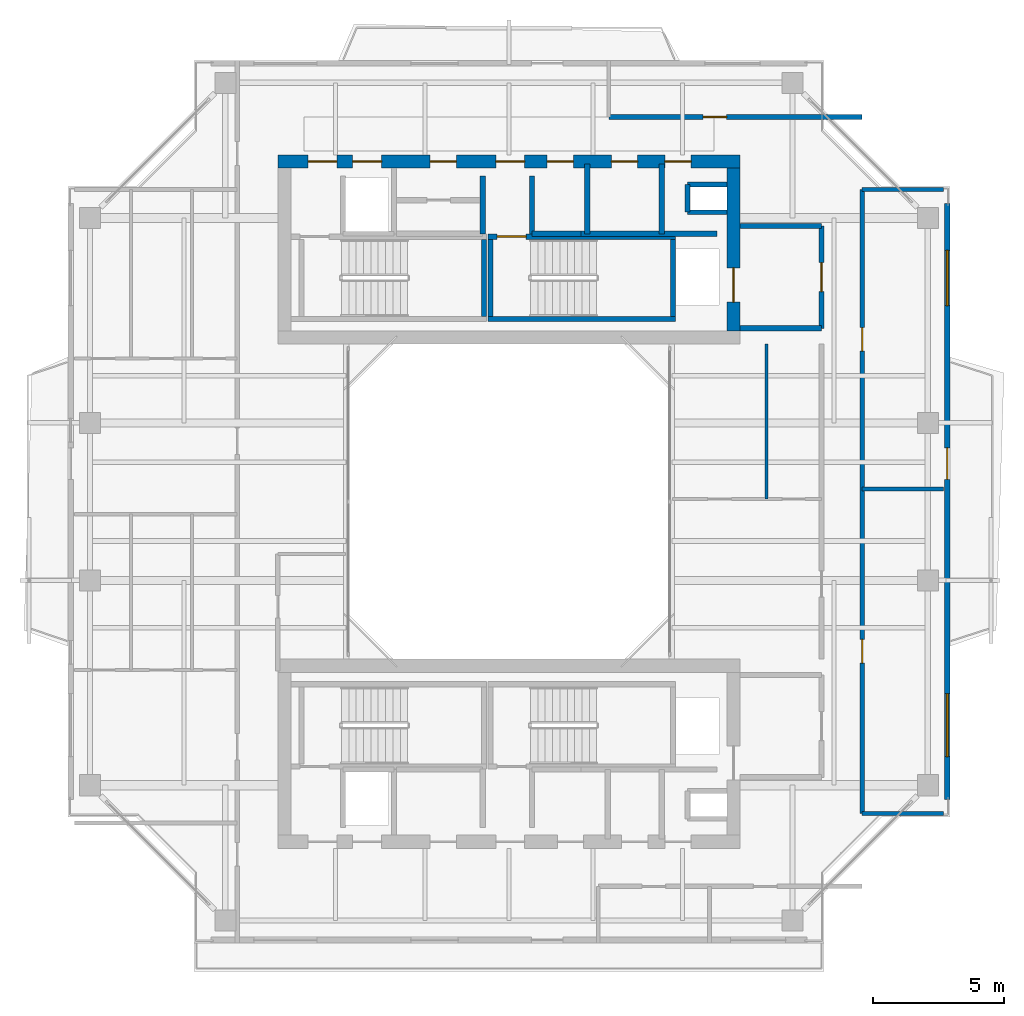
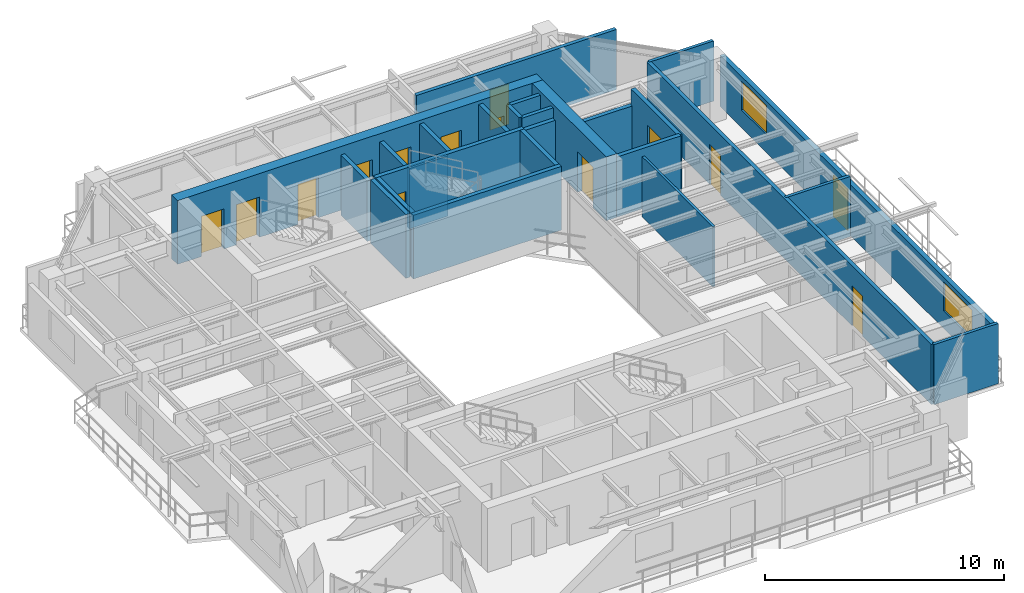
# One storey, part 12 of 16: 26 walls, 14 doors, 2 windows, 16 openings.
"""IFC4 building model written with IfcOpenShell, lengths in metres."""

from ifc_helpers import new_model, si_unit, direction, frame, frame_2d, origin, place, context, subcontext, project, spatial, rectangle, extrude, source, transform, mapped, material, layer, layer_set, type_object, element, fill, save


model = new_model("IFC4")

# Units and contexts
model_context = context("Model", 3, precision=1e-05, world=origin(), true_north=direction((0.0, 1.0)))
body_context = subcontext(model_context, "Body", "Model", "MODEL_VIEW")
ifc_project = project(units=[si_unit("LENGTHUNIT", "METRE"), si_unit("AREAUNIT", "SQUARE_METRE"), si_unit("VOLUMEUNIT", "CUBIC_METRE"), si_unit("PLANEANGLEUNIT", "RADIAN"), si_unit("MASSUNIT", "GRAM", prefix="KILO"), si_unit("THERMODYNAMICTEMPERATUREUNIT", "KELVIN"), si_unit("POWERUNIT", "WATT")], contexts=[model_context])

# Site, building, storey
site_placement = place(None, origin())
site = spatial("IfcSite", under=ifc_project, at=site_placement, CompositionType="ELEMENT")
building_placement = place(site_placement, origin())
building = spatial("IfcBuilding", under=site, at=building_placement, Name="Qiaomeng Ring Towers", CompositionType="ELEMENT")
storey_placement = place(building_placement, frame((0.0, 0.0, 190.5)))
storey = spatial("IfcBuildingStorey", under=building, at=storey_placement, Name="L55", CompositionType="ELEMENT", Elevation=190.5)

# Wall, openings, windows, door
ifc_material_1 = material(Name="Precast concrete C40", Category="concrete")
ifc_layer_1 = layer(ifc_material_1, 0.219970703125, Name="Precast concrete C40")
ifc_layer_set_1 = layer_set([ifc_layer_1], Name="Precast concrete C40")
wall_type_1 = type_object("IfcWallType", Name="ARC-WL-EW2", PredefinedType="STANDARD", material=ifc_layer_set_1)
wall_1_placement = place(storey_placement, frame((35.68994140625, 11.64990234375, 0.0), z_axis=(0.0, 0.0, 1.0), x_axis=(0.0, 1.0, 0.0)))
wall_1 = element("IfcWall", 1, at=wall_1_placement, inside=storey, type_object=wall_type_1, Name="L55 Tower 1 E Exterior Wall", PredefinedType="STANDARD", context=body_context, shape_type="SweptSolid", body=[
    extrude(rectangle(XDim=22.7001953125, YDim=0.219970703125, at=frame_2d((11.35009765625, 0.0))), origin(), (0.0, 0.0, 1.0), 2.610107421875),
])
opening_1_placement = place(wall_1_placement, frame((12.199951171875, 0.0, 0.0)))
opening_1 = element("IfcOpeningElement", 2, at=opening_1_placement, cuts=wall_1, Name="Opening BD1", PredefinedType="OPENING", context=body_context, shape_type="SweptSolid", body=[
    extrude(rectangle(XDim=1.199951171875, YDim=2.10009765625, at=frame_2d((0.60009765625, 1.050048828125))), frame((0.0, 0.119873046875, 0.0), z_axis=(0.0, -1.0, 0.0), x_axis=(1.0, 0.0, 0.0)), (0.0, 0.0, 1.0), 0.239990234375),
])
opening_2_placement = place(wall_1_placement, frame((1.637939453125, 0.0, 0.89990234375)))
opening_2 = element("IfcOpeningElement", 3, at=opening_2_placement, cuts=wall_1, Name="Opening WN6", PredefinedType="OPENING", context=body_context, shape_type="SweptSolid", body=[
    extrude(rectangle(XDim=2.39990234375, YDim=1.47998046875, at=frame_2d((1.199951171875, 0.739990234375))), frame((0.0, 0.119873046875, 0.0), z_axis=(0.0, -1.0, 0.0), x_axis=(1.0, 0.0, 0.0)), (0.0, 0.0, 1.0), 0.239990234375),
])
opening_3_placement = place(wall_1_placement, frame((18.81298828125, 0.0, 0.89990234375)))
opening_3 = element("IfcOpeningElement", 4, at=opening_3_placement, cuts=wall_1, Name="Opening WN4", PredefinedType="OPENING", context=body_context, shape_type="SweptSolid", body=[
    extrude(rectangle(XDim=2.10009765625, YDim=1.47998046875, at=frame_2d((1.050048828125, 0.739990234375))), frame((0.0, 0.119873046875, 0.0), z_axis=(0.0, -1.0, 0.0), x_axis=(1.0, 0.0, 0.0)), (0.0, 0.0, 1.0), 0.239990234375),
])
ifc_material_2 = material(Name="Low-E dark-grey laminated double glazing", Category="glass")
window_type_1 = type_object("IfcWindowType", Name="ARC-WN-4", PartitioningType="TRIPLE_PANEL_VERTICAL", PredefinedType="WINDOW", material=ifc_material_2)
shared_shape_1 = source(origin(), body_context, "Body", "SweptSolid", [
    extrude(rectangle(XDim=2.10009765625, YDim=1.47998046875, at=frame_2d((1.050048828125, 0.739990234375))), frame((0.0, 0.030029296875, 0.0), z_axis=(0.0, -1.0, 0.0), x_axis=(1.0, 0.0, 0.0)), (0.0, 0.0, 1.0), 0.06005859375),
])
window_1_placement = place(opening_3_placement, origin())
window_1 = element("IfcWindow", 5, at=window_1_placement, inside=storey, type_object=window_type_1, Name="L55 Exterior Window WN4", OverallHeight=1.47998046875, OverallWidth=2.10009765625, PartitioningType="TRIPLE_PANEL_VERTICAL", PredefinedType="WINDOW", context=body_context, shape_type="MappedRepresentation", body=[
    mapped(shared_shape_1, transform((0.0, 0.0, 0.0), x_axis=(1.0, 0.0, 0.0), y_axis=(0.0, 1.0, 0.0), z_axis=(0.0, 0.0, 1.0), scale=1.0)),
])
fill(opening_3, window_1)
window_type_2 = type_object("IfcWindowType", Name="ARC-WN-6", PartitioningType="TRIPLE_PANEL_VERTICAL", PredefinedType="WINDOW", material=ifc_material_2)
shared_shape_2 = source(origin(), body_context, "Body", "SweptSolid", [
    extrude(rectangle(XDim=2.39990234375, YDim=1.47998046875, at=frame_2d((1.199951171875, 0.739990234375))), frame((0.0, 0.030029296875, 0.0), z_axis=(0.0, -1.0, 0.0), x_axis=(1.0, 0.0, 0.0)), (0.0, 0.0, 1.0), 0.06005859375),
])
window_2_placement = place(opening_2_placement, origin())
window_2 = element("IfcWindow", 6, at=window_2_placement, inside=storey, type_object=window_type_2, Name="L55 Exterior Window WN6", OverallHeight=1.47998046875, OverallWidth=2.39990234375, PartitioningType="TRIPLE_PANEL_VERTICAL", PredefinedType="WINDOW", context=body_context, shape_type="MappedRepresentation", body=[
    mapped(shared_shape_2, transform((0.0, 0.0, 0.0), x_axis=(1.0, 0.0, 0.0), y_axis=(0.0, 1.0, 0.0), z_axis=(0.0, 0.0, 1.0), scale=1.0)),
])
fill(opening_2, window_2)
door_type_1 = type_object("IfcDoorType", Name="ARC-DR-BD1", OperationType="NOTDEFINED", PredefinedType="DOOR", material=ifc_material_2)
shared_shape_3 = source(origin(), body_context, "Body", "SweptSolid", [
    extrude(rectangle(XDim=1.199951171875, YDim=2.10009765625, at=frame_2d((0.60009765625, 1.050048828125))), frame((0.0, 0.02490234375, 0.0), z_axis=(0.0, -1.0, 0.0), x_axis=(1.0, 0.0, 0.0)), (0.0, 0.0, 1.0), 0.050048828125),
])
door_1_placement = place(opening_1_placement, origin())
door_1 = element("IfcDoor", 7, at=door_1_placement, inside=storey, type_object=door_type_1, Name="L55 E Balcony Glazed Door", OperationType="SINGLE_SWING_LEFT", OverallHeight=2.10009765625, OverallWidth=1.199951171875, PredefinedType="DOOR", context=body_context, shape_type="MappedRepresentation", body=[
    mapped(shared_shape_3, transform((0.0, 0.0, 0.0), x_axis=(1.0, 0.0, 0.0), y_axis=(0.0, 1.0, 0.0), z_axis=(0.0, 0.0, 1.0), scale=1.0)),
])
fill(opening_1, door_1)

# Walls
ifc_material_3 = material(Name="Autoclaved aerated concrete block", Category="concrete")
ifc_layer_2 = layer(ifc_material_3, 0.199951171875, Name="Autoclaved aerated concrete block")
ifc_layer_set_2 = layer_set([ifc_layer_2], Name="Autoclaved aerated concrete block")
wall_type_2 = type_object("IfcWallType", Name="ARC-WL-PW1", PredefinedType="PARTITIONING", material=ifc_layer_set_2)
wall_2_placement = place(storey_placement, frame((27.800048828125, 29.60009765625, 0.0), z_axis=(0.0, 0.0, 1.0), x_axis=(1.0, 0.0, 0.0)))
element("IfcWall", 8, at=wall_2_placement, inside=storey, type_object=wall_type_2, Name="L55 Interior Wall PW1", PredefinedType="PARTITIONING", context=body_context, shape_type="SweptSolid", body=[
    extrude(rectangle(XDim=3.099853515625, YDim=0.199951171875, at=frame_2d((1.5498046875, 0.0))), origin(), (0.0, 0.0, 1.0), 3.070068359375),
])
wall_3_placement = place(storey_placement, frame((27.800048828125, 33.5, 0.0), z_axis=(0.0, 0.0, 1.0), x_axis=(1.0, 0.0, 0.0)))
element("IfcWall", 9, at=wall_3_placement, inside=storey, type_object=wall_type_2, Name="L55 Interior Wall PW1", PredefinedType="PARTITIONING", context=body_context, shape_type="SweptSolid", body=[
    extrude(rectangle(XDim=3.099853515625, YDim=0.199951171875, at=frame_2d((1.5498046875, 0.0))), origin(), (0.0, 0.0, 1.0), 2.264892578125),
])

# Wall, opening, door
wall_4_placement = place(storey_placement, frame((30.89990234375, 29.60009765625, 0.0), z_axis=(0.0, 0.0, 1.0), x_axis=(0.0, 1.0, 0.0)))
wall_4 = element("IfcWall", 10, at=wall_4_placement, inside=storey, type_object=wall_type_2, Name="L55 Interior Wall PW1", PredefinedType="PARTITIONING", context=body_context, shape_type="SweptSolid", body=[
    extrude(rectangle(XDim=3.89990234375, YDim=0.199951171875, at=frame_2d((1.949951171875, 0.0))), origin(), (0.0, 0.0, 1.0), 3.070068359375),
])
opening_4_placement = place(wall_4_placement, frame((1.39990234375, 0.0, 0.0)))
opening_4 = element("IfcOpeningElement", 11, at=opening_4_placement, cuts=wall_4, Name="Opening FD3", PredefinedType="OPENING", context=body_context, shape_type="SweptSolid", body=[
    extrude(rectangle(XDim=1.10009765625, YDim=2.050048828125, at=frame_2d((0.550048828125, 1.02490234375))), frame((0.0, 0.10986328125, 0.0), z_axis=(0.0, -1.0, 0.0), x_axis=(1.0, 0.0, 0.0)), (0.0, 0.0, 1.0), 0.219970703125),
])
ifc_material_4 = material(Name="Galvanised steel", Category="steel")
door_type_2 = type_object("IfcDoorType", Name="ARC-DR-FD3", OperationType="NOTDEFINED", PredefinedType="DOOR", material=ifc_material_4)
shared_shape_4 = source(origin(), body_context, "Body", "SweptSolid", [
    extrude(rectangle(XDim=1.10009765625, YDim=2.050048828125, at=frame_2d((0.550048828125, 1.02490234375))), frame((0.0, 0.02490234375, 0.0), z_axis=(0.0, -1.0, 0.0), x_axis=(1.0, 0.0, 0.0)), (0.0, 0.0, 1.0), 0.050048828125),
])
door_2_placement = place(opening_4_placement, origin())
door_2 = element("IfcDoor", 12, at=door_2_placement, inside=storey, type_object=door_type_2, Name="L55 North FF Lobby Door", OperationType="SINGLE_SWING_LEFT", OverallHeight=2.050048828125, OverallWidth=1.10009765625, PredefinedType="DOOR", context=body_context, shape_type="MappedRepresentation", body=[
    mapped(shared_shape_4, transform((0.0, 0.0, 0.0), x_axis=(1.0, 0.0, 0.0), y_axis=(0.0, 1.0, 0.0), z_axis=(0.0, 0.0, 1.0), scale=1.0)),
])
fill(opening_4, door_2)

# Walls
for number, where, z_axis, x_axis, name in (
    (13, (18.0, 33.18994140625, 0.0), (0.0, 0.0, 1.0), (0.0, 1.0, 0.0), "L55 Interior Wall PW1"),
    (14, (19.8798828125, 33.18994140625, 0.0), (0.0, 0.0, 1.0), (0.0, 1.0, 0.0), "L55 Interior Wall PW1"),
):
    element("IfcWall", number, at=place(storey_placement, frame(where, z_axis=z_axis, x_axis=x_axis)), inside=storey, type_object=wall_type_2, Name=name, PredefinedType="PARTITIONING", context=body_context, shape_type="SweptSolid", body=[
        extrude(rectangle(XDim=2.2099609375, YDim=0.199951171875, at=frame_2d((1.10498046875, 0.0))), origin(), (0.0, 0.0, 1.0), 3.070068359375),
    ])
wall_5_placement = place(storey_placement, frame((24.820068359375, 33.199951171875, 0.0), z_axis=(0.0, 0.0, 1.0), x_axis=(0.0, 1.0, 0.0)))
element("IfcWall", 15, at=wall_5_placement, inside=storey, type_object=wall_type_2, Name="L55 Interior Wall PW1", PredefinedType="PARTITIONING", context=body_context, shape_type="SweptSolid", body=[
    extrude(rectangle(XDim=2.650146484375, YDim=0.199951171875, at=frame_2d((1.3251953125, 0.0))), origin(), (0.0, 0.0, 1.0), 3.070068359375),
])
wall_6_placement = place(storey_placement, frame((19.8798828125, 33.199951171875, 0.0), z_axis=(0.0, 0.0, 1.0), x_axis=(1.0, 0.0, 0.0)))
element("IfcWall", 16, at=wall_6_placement, inside=storey, type_object=wall_type_2, Name="L55 Interior Wall PW1", PredefinedType="PARTITIONING", context=body_context, shape_type="SweptSolid", body=[
    extrude(rectangle(XDim=1.8701171875, YDim=0.199951171875, at=frame_2d((0.93505859375, 0.0))), origin(), (0.0, 0.0, 1.0), 3.070068359375),
])
wall_7_placement = place(storey_placement, frame((21.97998046875, 33.199951171875, 0.0), z_axis=(0.0, 0.0, 1.0), x_axis=(0.0, 1.0, 0.0)))
element("IfcWall", 17, at=wall_7_placement, inside=storey, type_object=wall_type_2, Name="L55 Interior Wall PW1", PredefinedType="PARTITIONING", context=body_context, shape_type="SweptSolid", body=[
    extrude(rectangle(XDim=2.650146484375, YDim=0.199951171875, at=frame_2d((1.3251953125, 0.0))), origin(), (0.0, 0.0, 1.0), 3.070068359375),
])
wall_8_placement = place(storey_placement, frame((21.75, 33.199951171875, 0.0), z_axis=(0.0, 0.0, 1.0), x_axis=(1.0, 0.0, 0.0)))
element("IfcWall", 18, at=wall_8_placement, inside=storey, type_object=wall_type_2, Name="L55 Interior Wall PW1", PredefinedType="PARTITIONING", context=body_context, shape_type="SweptSolid", body=[
    extrude(rectangle(XDim=5.169921875, YDim=0.199951171875, at=frame_2d((2.5849609375, 0.0))), origin(), (0.0, 0.0, 1.0), 3.070068359375),
])

# Wall, opening, door
ifc_layer_3 = layer(ifc_material_3, 0.179931640625, Name="Autoclaved aerated concrete block")
ifc_layer_set_3 = layer_set([ifc_layer_3], Name="Autoclaved aerated concrete block")
wall_type_3 = type_object("IfcWallType", Name="ARC-WL-PW2", PredefinedType="PARTITIONING", material=ifc_layer_set_3)
wall_9_placement = place(storey_placement, frame((22.800048828125, 37.64990234375, 0.0), z_axis=(0.0, 0.0, 1.0), x_axis=(1.0, 0.0, 0.0)))
wall_9 = element("IfcWall", 19, at=wall_9_placement, inside=storey, type_object=wall_type_3, Name="L55 Interior Wall PW2", PredefinedType="PARTITIONING", context=body_context, shape_type="SweptSolid", body=[
    extrude(rectangle(XDim=9.64990234375, YDim=0.179931640625, at=frame_2d((4.824951171875, 0.0))), origin(), (0.0, 0.0, 1.0), 3.070068359375),
])
opening_5_placement = place(wall_9_placement, frame((3.590087890625, 0.0, 0.0)))
opening_5 = element("IfcOpeningElement", 20, at=opening_5_placement, cuts=wall_9, Name="Opening ID1", PredefinedType="OPENING", context=body_context, shape_type="SweptSolid", body=[
    extrude(rectangle(XDim=0.89990234375, YDim=2.050048828125, at=frame_2d((0.449951171875, 1.02490234375))), frame((0.0, 0.099853515625, 0.0), z_axis=(0.0, -1.0, 0.0), x_axis=(1.0, 0.0, 0.0)), (0.0, 0.0, 1.0), 0.199951171875),
])
ifc_material_5 = material(Name="Engineered oak timber", Category="wood")
door_type_3 = type_object("IfcDoorType", Name="ARC-DR-ID1", OperationType="NOTDEFINED", PredefinedType="DOOR", material=ifc_material_5)
shared_shape_5 = source(origin(), body_context, "Body", "SweptSolid", [
    extrude(rectangle(XDim=0.89990234375, YDim=2.050048828125, at=frame_2d((0.449951171875, 1.02490234375))), frame((0.0, 0.02490234375, 0.0), z_axis=(0.0, -1.0, 0.0), x_axis=(1.0, 0.0, 0.0)), (0.0, 0.0, 1.0), 0.050048828125),
])
door_3_placement = place(opening_5_placement, origin())
door_3 = element("IfcDoor", 21, at=door_3_placement, inside=storey, type_object=door_type_3, Name="L55 Door ID1", OperationType="SINGLE_SWING_RIGHT", OverallHeight=2.050048828125, OverallWidth=0.89990234375, PredefinedType="DOOR", context=body_context, shape_type="MappedRepresentation", body=[
    mapped(shared_shape_5, transform((0.0, 0.0, 0.0), x_axis=(1.0, 0.0, 0.0), y_axis=(0.0, 1.0, 0.0), z_axis=(0.0, 0.0, 1.0), scale=1.0)),
])
fill(opening_5, door_3)

# Wall, openings, doors
wall_10_placement = place(storey_placement, frame((32.449951171875, 11.1201171875, 0.0), z_axis=(0.0, 0.0, 1.0), x_axis=(0.0, 1.0, 0.0)))
wall_10 = element("IfcWall", 22, at=wall_10_placement, inside=storey, type_object=wall_type_3, Name="L55 Interior Wall PW2", PredefinedType="PARTITIONING", context=body_context, shape_type="SweptSolid", body=[
    extrude(rectangle(XDim=23.759765625, YDim=0.179931640625, at=frame_2d((11.8798828125, 0.0))), origin(), (0.0, 0.0, 1.0), 3.070068359375),
])
opening_6_placement = place(wall_10_placement, frame((5.72998046875, 0.0, 0.0)))
opening_6 = element("IfcOpeningElement", 23, at=opening_6_placement, cuts=wall_10, Name="Opening ID1", PredefinedType="OPENING", context=body_context, shape_type="SweptSolid", body=[
    extrude(rectangle(XDim=0.89990234375, YDim=2.050048828125, at=frame_2d((0.449951171875, 1.02490234375))), frame((0.0, 0.099853515625, 0.0), z_axis=(0.0, -1.0, 0.0), x_axis=(1.0, 0.0, 0.0)), (0.0, 0.0, 1.0), 0.199951171875),
])
opening_7_placement = place(wall_10_placement, frame((17.610107421875, 0.0, 0.0)))
opening_7 = element("IfcOpeningElement", 24, at=opening_7_placement, cuts=wall_10, Name="Opening ID1", PredefinedType="OPENING", context=body_context, shape_type="SweptSolid", body=[
    extrude(rectangle(XDim=0.89990234375, YDim=2.050048828125, at=frame_2d((0.449951171875, 1.02490234375))), frame((0.0, 0.099853515625, 0.0), z_axis=(0.0, -1.0, 0.0), x_axis=(1.0, 0.0, 0.0)), (0.0, 0.0, 1.0), 0.199951171875),
])
door_4_placement = place(opening_6_placement, origin())
door_4 = element("IfcDoor", 25, at=door_4_placement, inside=storey, type_object=door_type_3, Name="L55 Door ID1", OperationType="SINGLE_SWING_LEFT", OverallHeight=2.050048828125, OverallWidth=0.89990234375, PredefinedType="DOOR", context=body_context, shape_type="MappedRepresentation", body=[
    mapped(shared_shape_5, transform((0.0, 0.0, 0.0), x_axis=(1.0, 0.0, 0.0), y_axis=(0.0, 1.0, 0.0), z_axis=(0.0, 0.0, 1.0), scale=1.0)),
])
fill(opening_6, door_4)
door_5_placement = place(opening_7_placement, origin())
door_5 = element("IfcDoor", 26, at=door_5_placement, inside=storey, type_object=door_type_3, Name="L55 Door ID1", OperationType="SINGLE_SWING_RIGHT", OverallHeight=2.050048828125, OverallWidth=0.89990234375, PredefinedType="DOOR", context=body_context, shape_type="MappedRepresentation", body=[
    mapped(shared_shape_5, transform((0.0, 0.0, 0.0), x_axis=(1.0, 0.0, 0.0), y_axis=(0.0, 1.0, 0.0), z_axis=(0.0, 0.0, 1.0), scale=1.0)),
])
fill(opening_7, door_5)

# Walls
ifc_material_6 = material(Name="Gypsum fireboard steel-stud partition", Category="steel")
ifc_layer_4 = layer(ifc_material_6, 0.14990234375, Name="Gypsum fireboard steel-stud partition")
ifc_layer_set_4 = layer_set([ifc_layer_4], Name="Gypsum fireboard steel-stud partition")
wall_type_4 = type_object("IfcWallType", Name="ARC-WL-PW3", PredefinedType="PARTITIONING", material=ifc_layer_set_4)
for number, where, z_axis, x_axis, name in (
    (27, (32.449951171875, 34.8798828125, 0.0), (0.0, 0.0, 1.0), (1.0, 0.0, 0.0), "L55 Interior Wall PW3"),
    (28, (32.449951171875, 11.1201171875, 0.0), (0.0, 0.0, 1.0), (1.0, 0.0, 0.0), "L55 Interior Wall PW3"),
    (29, (32.449951171875, 23.47998046875, 0.0), (0.0, 0.0, 1.0), (1.0, 0.0, 0.0), "L55 Interior Wall PW3"),
):
    element("IfcWall", number, at=place(storey_placement, frame(where, z_axis=z_axis, x_axis=x_axis)), inside=storey, type_object=wall_type_4, Name=name, PredefinedType="PARTITIONING", context=body_context, shape_type="SweptSolid", body=[
        extrude(rectangle(XDim=3.10009765625, YDim=0.14990234375, at=frame_2d((1.550048828125, 0.0))), origin(), (0.0, 0.0, 1.0), 3.070068359375),
    ])
ifc_material_7 = material(Name="Moisture-resistant gypsum steel-stud partition", Category="steel")
ifc_layer_5 = layer(ifc_material_7, 0.1201171875, Name="Moisture-resistant gypsum steel-stud partition")
ifc_layer_set_5 = layer_set([ifc_layer_5], Name="Moisture-resistant gypsum steel-stud partition")
wall_type_5 = type_object("IfcWallType", Name="ARC-WL-PW4", PredefinedType="PLUMBINGWALL", material=ifc_layer_set_5)
wall_11_placement = place(storey_placement, frame((28.800048828125, 23.10009765625, 0.0), z_axis=(0.0, 0.0, 1.0), x_axis=(0.0, 1.0, 0.0)))
element("IfcWall", 30, at=wall_11_placement, inside=storey, type_object=wall_type_5, Name="L55 Interior Wall PW4", PredefinedType="PLUMBINGWALL", context=body_context, shape_type="SweptSolid", body=[
    extrude(rectangle(XDim=5.89990234375, YDim=0.1201171875, at=frame_2d((2.949951171875, 0.0))), origin(), (0.0, 0.0, 1.0), 3.070068359375),
])
ifc_material_8 = material(Name="Concrete C40", Category="concrete")
ifc_layer_6 = layer(ifc_material_8, 0.199951171875, Name="Concrete C40")
ifc_layer_set_6 = layer_set([ifc_layer_6], Name="Concrete C40")
wall_type_6 = type_object("IfcWallType", Name="STR-WL-STSHAFT", PredefinedType="SHEAR", material=ifc_layer_set_6)
wall_12_placement = place(storey_placement, frame((25.800048828125, 34.02001953125, 0.0), z_axis=(0.0, 0.0, 1.0), x_axis=(0.0, 1.0, 0.0)))
element("IfcWall", 31, at=wall_12_placement, inside=storey, type_object=wall_type_6, Name="L55 Riser RSR1 West Shaft Wall N", PredefinedType="SHEAR", context=body_context, shape_type="SweptSolid", body=[
    extrude(rectangle(XDim=1.06005859375, YDim=0.179931640625, at=frame_2d((0.530029296875, 0.0))), origin(), (0.0, 0.0, 1.0), 3.070068359375),
])
for number, where, z_axis, x_axis, name in (
    (32, (25.800048828125, 35.080078125, 0.0), (0.0, 0.0, 1.0), (1.0, 0.0, 0.0), "L55 Riser RSR1 North Shaft Wall N"),
    (33, (25.800048828125, 34.02001953125, 0.0), (0.0, 0.0, 1.0), (1.0, 0.0, 0.0), "L55 Riser RSR1 South Shaft Wall N"),
):
    element("IfcWall", number, at=place(storey_placement, frame(where, z_axis=z_axis, x_axis=x_axis)), inside=storey, type_object=wall_type_6, Name=name, PredefinedType="SHEAR", context=body_context, shape_type="SweptSolid", body=[
        extrude(rectangle(XDim=1.5, YDim=0.179931640625, at=frame_2d((0.75, 0.0))), origin(), (0.0, 0.0, 1.0), 3.070068359375),
    ])
wall_13_placement = place(storey_placement, frame((18.050048828125, 30.050048828125, 0.0), z_axis=(0.0, 0.0, 1.0), x_axis=(0.0, 1.0, 0.0)))
element("IfcWall", 34, at=wall_13_placement, inside=storey, type_object=wall_type_6, Name="L55 Stair ST1 East Shaft Shear Wall", PredefinedType="SHEAR", context=body_context, shape_type="SweptSolid", body=[
    extrude(rectangle(XDim=2.93994140625, YDim=0.199951171875, at=frame_2d((1.469970703125, 0.0))), origin(), (0.0, 0.0, 1.0), 3.25),
])
wall_14_placement = place(storey_placement, frame((18.199951171875, 29.949951171875, 0.0), z_axis=(0.0, 0.0, 1.0), x_axis=(1.0, 0.0, 0.0)))
element("IfcWall", 35, at=wall_14_placement, inside=storey, type_object=wall_type_6, Name="L55 Stair ST2 South Shaft Shear Wall", PredefinedType="SHEAR", context=body_context, shape_type="SweptSolid", body=[
    extrude(rectangle(XDim=7.150146484375, YDim=0.199951171875, at=frame_2d((3.5751953125, 0.0))), origin(), (0.0, 0.0, 1.0), 3.25),
])

# Wall, opening, door
wall_15_placement = place(storey_placement, frame((18.199951171875, 33.090087890625, 0.0), z_axis=(0.0, 0.0, 1.0), x_axis=(1.0, 0.0, 0.0)))
wall_15 = element("IfcWall", 36, at=wall_15_placement, inside=storey, type_object=wall_type_6, Name="L55 Stair ST2 North Shaft Shear Wall", PredefinedType="SHEAR", context=body_context, shape_type="SweptSolid", body=[
    extrude(rectangle(XDim=7.150146484375, YDim=0.199951171875, at=frame_2d((3.5751953125, 0.0))), origin(), (0.0, 0.0, 1.0), 3.25),
])
opening_8_placement = place(wall_15_placement, frame((0.35009765625, 0.0, 0.0)))
opening_8 = element("IfcOpeningElement", 37, at=opening_8_placement, cuts=wall_15, Name="Opening FD3", PredefinedType="OPENING", context=body_context, shape_type="SweptSolid", body=[
    extrude(rectangle(XDim=1.10009765625, YDim=2.050048828125, at=frame_2d((0.550048828125, 1.02490234375))), frame((0.0, 0.10986328125, 0.0), z_axis=(0.0, -1.0, 0.0), x_axis=(1.0, 0.0, 0.0)), (0.0, 0.0, 1.0), 0.219970703125),
])
door_6_placement = place(opening_8_placement, origin())
door_6 = element("IfcDoor", 38, at=door_6_placement, inside=storey, type_object=door_type_2, Name="L55 Stair ST2 Exit Door", OperationType="SINGLE_SWING_RIGHT", OverallHeight=2.050048828125, OverallWidth=1.10009765625, PredefinedType="DOOR", context=body_context, shape_type="MappedRepresentation", body=[
    mapped(shared_shape_4, transform((0.0, 0.0, 0.0), x_axis=(1.0, 0.0, 0.0), y_axis=(0.0, 1.0, 0.0), z_axis=(0.0, 0.0, 1.0), scale=1.0)),
])
fill(opening_8, door_6)

# Walls
for number, where, z_axis, x_axis, name in (
    (39, (18.300048828125, 30.050048828125, 0.0), (0.0, 0.0, 1.0), (0.0, 1.0, 0.0), "L55 Stair ST2 West Shaft Shear Wall"),
    (40, (25.25, 30.050048828125, 0.0), (0.0, 0.0, 1.0), (0.0, 1.0, 0.0), "L55 Stair ST2 East Shaft Shear Wall"),
):
    element("IfcWall", number, at=place(storey_placement, frame(where, z_axis=z_axis, x_axis=x_axis)), inside=storey, type_object=wall_type_6, Name=name, PredefinedType="SHEAR", context=body_context, shape_type="SweptSolid", body=[
        extrude(rectangle(XDim=2.93994140625, YDim=0.199951171875, at=frame_2d((1.469970703125, 0.0))), origin(), (0.0, 0.0, 1.0), 3.25),
    ])

# Wall, openings, doors
ifc_layer_7 = layer(ifc_material_8, 0.5, Name="Concrete C40")
ifc_layer_set_7 = layer_set([ifc_layer_7], Name="Concrete C40")
wall_type_7 = type_object("IfcWallType", Name="STR-WL-SW3", PredefinedType="SHEAR", material=ifc_layer_set_7)
wall_16_placement = place(storey_placement, frame((10.199951171875, 35.949951171875, 0.0), z_axis=(0.0, 0.0, 1.0), x_axis=(1.0, 0.0, 0.0)))
wall_16 = element("IfcWall", 41, at=wall_16_placement, inside=storey, type_object=wall_type_7, Name="L55 T1NC north core shear wall", PredefinedType="SHEAR", context=body_context, shape_type="SweptSolid", body=[
    extrude(rectangle(XDim=17.60009765625, YDim=0.5, at=frame_2d((8.800048828125, 0.0))), origin(), (0.0, 0.0, 1.0), 3.25),
])
opening_9_placement = place(wall_16_placement, frame((1.14990234375, 0.0, 0.0)))
opening_9 = element("IfcOpeningElement", 42, at=opening_9_placement, cuts=wall_16, Name="Opening FD3", PredefinedType="OPENING", context=body_context, shape_type="SweptSolid", body=[
    extrude(rectangle(XDim=1.10009765625, YDim=2.050048828125, at=frame_2d((0.550048828125, 1.02490234375))), frame((0.0, 0.260009765625, 0.0), z_axis=(0.0, -1.0, 0.0), x_axis=(1.0, 0.0, 0.0)), (0.0, 0.0, 1.0), 0.52001953125),
])
opening_10_placement = place(wall_16_placement, frame((8.300048828125, 0.0, 0.0)))
opening_10 = element("IfcOpeningElement", 43, at=opening_10_placement, cuts=wall_16, Name="Opening FD3", PredefinedType="OPENING", context=body_context, shape_type="SweptSolid", body=[
    extrude(rectangle(XDim=1.10009765625, YDim=2.050048828125, at=frame_2d((0.550048828125, 1.02490234375))), frame((0.0, 0.260009765625, 0.0), z_axis=(0.0, -1.0, 0.0), x_axis=(1.0, 0.0, 0.0)), (0.0, 0.0, 1.0), 0.52001953125),
])
opening_11_placement = place(wall_16_placement, frame((2.85009765625, 0.0, 0.0)))
opening_11 = element("IfcOpeningElement", 44, at=opening_11_placement, cuts=wall_16, Name="Opening LD1", PredefinedType="OPENING", context=body_context, shape_type="SweptSolid", body=[
    extrude(rectangle(XDim=1.10009765625, YDim=2.050048828125, at=frame_2d((0.550048828125, 1.02490234375))), frame((0.0, 0.260009765625, 0.0), z_axis=(0.0, -1.0, 0.0), x_axis=(1.0, 0.0, 0.0)), (0.0, 0.0, 1.0), 0.52001953125),
])
opening_12_placement = place(wall_16_placement, frame((5.800048828125, 0.0, 0.0)))
opening_12 = element("IfcOpeningElement", 45, at=opening_12_placement, cuts=wall_16, Name="Opening FD1", PredefinedType="OPENING", context=body_context, shape_type="SweptSolid", body=[
    extrude(rectangle(XDim=1.0, YDim=2.050048828125, at=frame_2d((0.5, 1.02490234375))), frame((0.0, 0.260009765625, 0.0), z_axis=(0.0, -1.0, 0.0), x_axis=(1.0, 0.0, 0.0)), (0.0, 0.0, 1.0), 0.52001953125),
])
opening_13_placement = place(wall_16_placement, frame((14.739990234375, 0.0, 0.0)))
opening_13 = element("IfcOpeningElement", 46, at=opening_13_placement, cuts=wall_16, Name="Opening FD1", PredefinedType="OPENING", context=body_context, shape_type="SweptSolid", body=[
    extrude(rectangle(XDim=1.0, YDim=2.050048828125, at=frame_2d((0.5, 1.02490234375))), frame((0.0, 0.260009765625, 0.0), z_axis=(0.0, -1.0, 0.0), x_axis=(1.0, 0.0, 0.0)), (0.0, 0.0, 1.0), 0.52001953125),
])
opening_14_placement = place(wall_16_placement, frame((10.25, 0.0, 0.0)))
opening_14 = element("IfcOpeningElement", 47, at=opening_14_placement, cuts=wall_16, Name="Opening FD1", PredefinedType="OPENING", context=body_context, shape_type="SweptSolid", body=[
    extrude(rectangle(XDim=1.0, YDim=2.050048828125, at=frame_2d((0.5, 1.02490234375))), frame((0.0, 0.260009765625, 0.0), z_axis=(0.0, -1.0, 0.0), x_axis=(1.0, 0.0, 0.0)), (0.0, 0.0, 1.0), 0.52001953125),
])
opening_15_placement = place(wall_16_placement, frame((12.699951171875, 0.0, 0.0)))
opening_15 = element("IfcOpeningElement", 48, at=opening_15_placement, cuts=wall_16, Name="Opening FD1", PredefinedType="OPENING", context=body_context, shape_type="SweptSolid", body=[
    extrude(rectangle(XDim=1.0, YDim=2.050048828125, at=frame_2d((0.5, 1.02490234375))), frame((0.0, 0.260009765625, 0.0), z_axis=(0.0, -1.0, 0.0), x_axis=(1.0, 0.0, 0.0)), (0.0, 0.0, 1.0), 0.52001953125),
])
door_7_placement = place(opening_9_placement, origin())
door_7 = element("IfcDoor", 49, at=door_7_placement, inside=storey, type_object=door_type_2, Name="L55 Stair ST1 Lobby Door", OperationType="SINGLE_SWING_LEFT", OverallHeight=2.050048828125, OverallWidth=1.10009765625, PredefinedType="DOOR", context=body_context, shape_type="MappedRepresentation", body=[
    mapped(shared_shape_4, transform((0.0, 0.0, 0.0), x_axis=(1.0, 0.0, 0.0), y_axis=(0.0, 1.0, 0.0), z_axis=(0.0, 0.0, 1.0), scale=1.0)),
])
fill(opening_9, door_7)
door_8_placement = place(opening_10_placement, origin())
door_8 = element("IfcDoor", 50, at=door_8_placement, inside=storey, type_object=door_type_2, Name="L55 Stair ST2 Lobby Door", OperationType="SINGLE_SWING_LEFT", OverallHeight=2.050048828125, OverallWidth=1.10009765625, PredefinedType="DOOR", context=body_context, shape_type="MappedRepresentation", body=[
    mapped(shared_shape_4, transform((0.0, 0.0, 0.0), x_axis=(1.0, 0.0, 0.0), y_axis=(0.0, 1.0, 0.0), z_axis=(0.0, 0.0, 1.0), scale=1.0)),
])
fill(opening_10, door_8)
ifc_material_9 = material(Name="Stainless steel 316", Category="steel")
door_type_4 = type_object("IfcDoorType", Name="ARC-DR-LD1", OperationType="NOTDEFINED", PredefinedType="DOOR", material=ifc_material_9)
door_9_placement = place(opening_11_placement, origin())
door_9 = element("IfcDoor", 51, at=door_9_placement, inside=storey, type_object=door_type_4, Name="L55 High-Zone Lift LP5 Landing Door", OperationType="SLIDING_TO_LEFT", OverallHeight=2.050048828125, OverallWidth=1.10009765625, PredefinedType="DOOR", context=body_context, shape_type="MappedRepresentation", body=[
    mapped(shared_shape_4, transform((0.0, 0.0, 0.0), x_axis=(1.0, 0.0, 0.0), y_axis=(0.0, 1.0, 0.0), z_axis=(0.0, 0.0, 1.0), scale=1.0)),
])
fill(opening_11, door_9)
door_type_5 = type_object("IfcDoorType", Name="ARC-DR-FD1", OperationType="NOTDEFINED", PredefinedType="DOOR", material=ifc_material_4)
shared_shape_6 = source(origin(), body_context, "Body", "SweptSolid", [
    extrude(rectangle(XDim=1.0, YDim=2.050048828125, at=frame_2d((0.5, 1.02490234375))), frame((0.0, 0.02490234375, 0.0), z_axis=(0.0, -1.0, 0.0), x_axis=(1.0, 0.0, 0.0)), (0.0, 0.0, 1.0), 0.050048828125),
])
door_10_placement = place(opening_12_placement, origin())
door_10 = element("IfcDoor", 52, at=door_10_placement, inside=storey, type_object=door_type_5, Name="L55 High-Zone Tea Pantry Door", OperationType="SINGLE_SWING_RIGHT", OverallHeight=2.050048828125, OverallWidth=1.0, PredefinedType="DOOR", context=body_context, shape_type="MappedRepresentation", body=[
    mapped(shared_shape_6, transform((0.0, 0.0, 0.0), x_axis=(1.0, 0.0, 0.0), y_axis=(0.0, 1.0, 0.0), z_axis=(0.0, 0.0, 1.0), scale=1.0)),
])
fill(opening_12, door_10)
door_11_placement = place(opening_13_placement, origin())
door_11 = element("IfcDoor", 53, at=door_11_placement, inside=storey, type_object=door_type_5, Name="L55 North Electrical Riser Door", OperationType="SINGLE_SWING_RIGHT", OverallHeight=2.050048828125, OverallWidth=1.0, PredefinedType="DOOR", context=body_context, shape_type="MappedRepresentation", body=[
    mapped(shared_shape_6, transform((0.0, 0.0, 0.0), x_axis=(1.0, 0.0, 0.0), y_axis=(0.0, 1.0, 0.0), z_axis=(0.0, 0.0, 1.0), scale=1.0)),
])
fill(opening_13, door_11)
door_12_placement = place(opening_14_placement, origin())
door_12 = element("IfcDoor", 54, at=door_12_placement, inside=storey, type_object=door_type_5, Name="L55 North Cleaners Store Door", OperationType="SINGLE_SWING_RIGHT", OverallHeight=2.050048828125, OverallWidth=1.0, PredefinedType="DOOR", context=body_context, shape_type="MappedRepresentation", body=[
    mapped(shared_shape_6, transform((0.0, 0.0, 0.0), x_axis=(1.0, 0.0, 0.0), y_axis=(0.0, 1.0, 0.0), z_axis=(0.0, 0.0, 1.0), scale=1.0)),
])
fill(opening_14, door_12)
door_13_placement = place(opening_15_placement, origin())
door_13 = element("IfcDoor", 55, at=door_13_placement, inside=storey, type_object=door_type_5, Name="L55 North Facilities Management Office Door", OperationType="SINGLE_SWING_LEFT", OverallHeight=2.050048828125, OverallWidth=1.0, PredefinedType="DOOR", context=body_context, shape_type="MappedRepresentation", body=[
    mapped(shared_shape_6, transform((0.0, 0.0, 0.0), x_axis=(1.0, 0.0, 0.0), y_axis=(0.0, 1.0, 0.0), z_axis=(0.0, 0.0, 1.0), scale=1.0)),
])
fill(opening_15, door_13)

# Wall, opening, door
wall_17_placement = place(storey_placement, frame((27.550048828125, 29.5, 0.0), z_axis=(0.0, 0.0, 1.0), x_axis=(0.0, 1.0, 0.0)))
wall_17 = element("IfcWall", 56, at=wall_17_placement, inside=storey, type_object=wall_type_7, Name="L55 T1NC east core shear wall", PredefinedType="SHEAR", context=body_context, shape_type="SweptSolid", body=[
    extrude(rectangle(XDim=6.199951171875, YDim=0.5, at=frame_2d((3.10009765625, 0.0))), origin(), (0.0, 0.0, 1.0), 3.25),
])
opening_16_placement = place(wall_17_placement, frame((1.10009765625, 0.0, 0.0)))
opening_16 = element("IfcOpeningElement", 57, at=opening_16_placement, cuts=wall_17, Name="Opening LD2", PredefinedType="OPENING", context=body_context, shape_type="SweptSolid", body=[
    extrude(rectangle(XDim=1.300048828125, YDim=2.050048828125, at=frame_2d((0.64990234375, 1.02490234375))), frame((0.0, 0.260009765625, 0.0), z_axis=(0.0, -1.0, 0.0), x_axis=(1.0, 0.0, 0.0)), (0.0, 0.0, 1.0), 0.52001953125),
])
door_type_6 = type_object("IfcDoorType", Name="ARC-DR-LD2", OperationType="NOTDEFINED", PredefinedType="DOOR", material=ifc_material_9)
shared_shape_7 = source(origin(), body_context, "Body", "SweptSolid", [
    extrude(rectangle(XDim=1.300048828125, YDim=2.050048828125, at=frame_2d((0.64990234375, 1.02490234375))), frame((0.0, 0.02490234375, 0.0), z_axis=(0.0, -1.0, 0.0), x_axis=(1.0, 0.0, 0.0)), (0.0, 0.0, 1.0), 0.050048828125),
])
door_14_placement = place(opening_16_placement, origin())
door_14 = element("IfcDoor", 58, at=door_14_placement, inside=storey, type_object=door_type_6, Name="L55 Firefighting Lift FL1 Landing Door", OperationType="SLIDING_TO_LEFT", OverallHeight=2.050048828125, OverallWidth=1.300048828125, PredefinedType="DOOR", context=body_context, shape_type="MappedRepresentation", body=[
    mapped(shared_shape_7, transform((0.0, 0.0, 0.0), x_axis=(1.0, 0.0, 0.0), y_axis=(0.0, 1.0, 0.0), z_axis=(0.0, 0.0, 1.0), scale=1.0)),
])
fill(opening_16, door_14)

save(model, "model.ifc")
